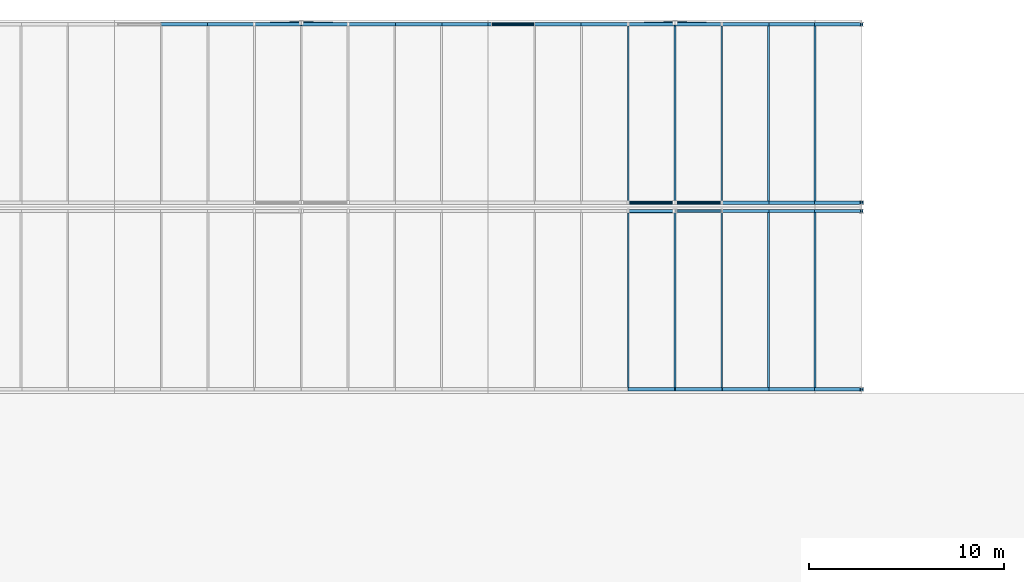
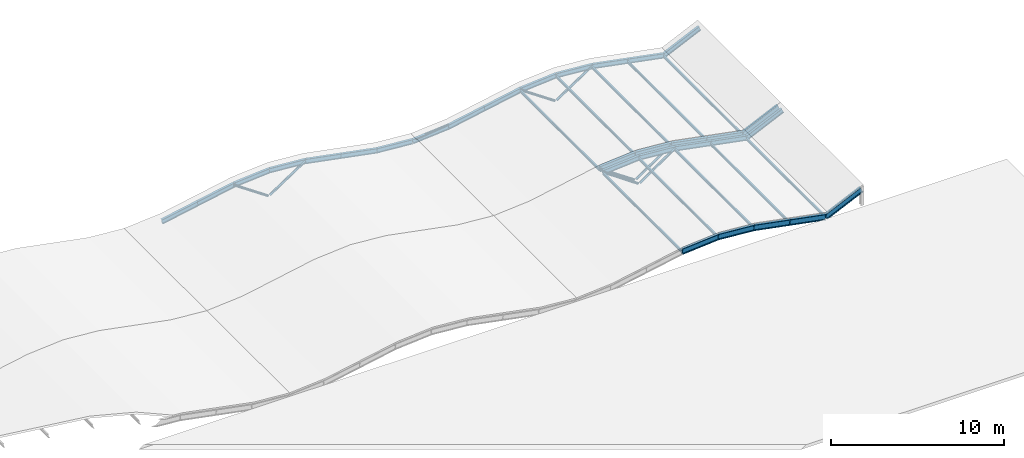
# One storey, part 130 of 170: 30 beams, 19 members.
"""IFC4 building model written with IfcOpenShell, lengths in metres."""

from ifc_helpers import new_model, si_unit, direction, frame, origin, origin_2d, place, context, subcontext, project, spatial, hollow_circle, i_section, extrude, material, material_profile, profile_set, type_object, element, save


model = new_model("IFC4")

# Units and contexts
model_context = context("Model", 3, precision=1e-05, world=origin(), true_north=direction((0.0, 1.0)))
body_context = subcontext(model_context, "Body", "Model", "MODEL_VIEW")
ifc_project = project(units=[si_unit("LENGTHUNIT", "METRE"), si_unit("AREAUNIT", "SQUARE_METRE"), si_unit("VOLUMEUNIT", "CUBIC_METRE"), si_unit("PLANEANGLEUNIT", "RADIAN"), si_unit("MASSUNIT", "GRAM", prefix="KILO")], contexts=[model_context])

# Site, building, storey
site_placement = place(None, origin())
site = spatial("IfcSite", under=ifc_project, at=site_placement, CompositionType="ELEMENT")
building_placement = place(site_placement, origin())
building = spatial("IfcBuilding", under=site, at=building_placement, Name="Coralgate Yard Interchange", CompositionType="ELEMENT")
storey_placement = place(building_placement, frame((0.0, 0.0, 6.0)))
storey = spatial("IfcBuildingStorey", under=building, at=storey_placement, Name="L01", CompositionType="ELEMENT", Elevation=6.0)

# Beams
ifc_material_1 = material(Name="Off-white architectural structural steel S355J2", Category="steel")
ifc_material_profile_1 = material_profile(ifc_material_1, i_section(OverallWidth=0.179931640625, OverallDepth=0.39990234375, WebThickness=0.008544921875, FlangeThickness=0.013427734375, FilletRadius=0.02099609375, at=origin_2d()), Name="IPE 400")
ifc_profile_set_1 = profile_set([ifc_material_profile_1], Name="Off-white architectural structural steel S355J2")
beam_type_1 = type_object("IfcBeamType", Name="BM-WR-1", PredefinedType="BEAM", material=ifc_profile_set_1)
beam_1_placement = place(storey_placement, frame((160.800048828125, 96.219970703125, 0.90966796875), z_axis=(0.996866661985, 0.0, 0.079100304817), x_axis=(0.0, 1.0, 0.0)))
element("IfcBeam", 1, at=beam_1_placement, inside=storey, type_object=beam_type_1, Name="Wave-shell steel arch rib R1-W7-S4", PredefinedType="BEAM", context=body_context, shape_type="SweptSolid", body=[
    extrude(i_section(OverallWidth=0.179931640625, OverallDepth=0.39990234375, WebThickness=0.008544921875, FlangeThickness=0.013427734375, FilletRadius=0.02099609375, at=origin_2d()), origin(), (0.0, 0.0, 1.0), 2.407470703125),
])
beam_2_placement = place(storey_placement, frame((163.199951171875, 96.219970703125, 1.10009765625), z_axis=(0.996867296401, 0.0, -0.079092309144), x_axis=(0.0, 1.0, 0.0)))
element("IfcBeam", 2, at=beam_2_placement, inside=storey, type_object=beam_type_1, Name="Wave-shell steel arch rib R1-W7-S5", PredefinedType="BEAM", context=body_context, shape_type="SweptSolid", body=[
    extrude(i_section(OverallWidth=0.179931640625, OverallDepth=0.39990234375, WebThickness=0.008544921875, FlangeThickness=0.013427734375, FilletRadius=0.02099609375, at=origin_2d()), origin(), (0.0, 0.0, 1.0), 2.40771484375),
])
for number, where, z_axis, x_axis, name in (
    (3, (165.60009765625, 96.219970703125, 0.90966796875), (0.98214301705, 0.0, -0.18813583938), (0.0, 1.0, 0.0), "Wave-shell steel arch rib R1-W7-S6"),
    (4, (168.0, 96.219970703125, 0.449951171875), (0.98216147419, 0.0, -0.188039460267), (0.0, 1.0, 0.0), "Wave-shell steel arch rib R1-W7-S7"),
):
    element("IfcBeam", number, at=place(storey_placement, frame(where, z_axis=z_axis, x_axis=x_axis)), inside=storey, type_object=beam_type_1, Name=name, PredefinedType="BEAM", context=body_context, shape_type="SweptSolid", body=[
        extrude(i_section(OverallWidth=0.179931640625, OverallDepth=0.39990234375, WebThickness=0.008544921875, FlangeThickness=0.013427734375, FilletRadius=0.02099609375, at=origin_2d()), origin(), (0.0, 0.0, 1.0), 2.443603515625),
    ])
beam_3_placement = place(storey_placement, frame((170.39990234375, 96.219970703125, -0.009521484375), z_axis=(0.907691669013, 0.0, 0.419637741396), x_axis=(0.0, 1.0, 0.0)))
element("IfcBeam", 5, at=beam_3_placement, inside=storey, type_object=beam_type_1, Name="Wave-shell steel arch rib R1-W7-S8", PredefinedType="BEAM", context=body_context, shape_type="SweptSolid", body=[
    extrude(i_section(OverallWidth=0.179931640625, OverallDepth=0.39990234375, WebThickness=0.008544921875, FlangeThickness=0.013427734375, FilletRadius=0.02099609375, at=origin_2d()), origin(), (0.0, 0.0, 1.0), 2.644287109375),
])
beam_4_placement = place(storey_placement, frame((160.800048828125, 105.820068359375, 0.90966796875), z_axis=(0.996866661985, 0.0, 0.079100304817), x_axis=(0.0, 1.0, 0.0)))
element("IfcBeam", 6, at=beam_4_placement, inside=storey, type_object=beam_type_1, Name="Wave-shell steel arch rib R2-W7-S4", PredefinedType="BEAM", context=body_context, shape_type="SweptSolid", body=[
    extrude(i_section(OverallWidth=0.179931640625, OverallDepth=0.39990234375, WebThickness=0.008544921875, FlangeThickness=0.013427734375, FilletRadius=0.02099609375, at=origin_2d()), origin(), (0.0, 0.0, 1.0), 2.407470703125),
])
beam_5_placement = place(storey_placement, frame((163.199951171875, 105.820068359375, 1.10009765625), z_axis=(0.996867296401, 0.0, -0.079092309144), x_axis=(0.0, 1.0, 0.0)))
element("IfcBeam", 7, at=beam_5_placement, inside=storey, type_object=beam_type_1, Name="Wave-shell steel arch rib R2-W7-S5", PredefinedType="BEAM", context=body_context, shape_type="SweptSolid", body=[
    extrude(i_section(OverallWidth=0.179931640625, OverallDepth=0.39990234375, WebThickness=0.008544921875, FlangeThickness=0.013427734375, FilletRadius=0.02099609375, at=origin_2d()), origin(), (0.0, 0.0, 1.0), 2.40771484375),
])
for number, where, z_axis, x_axis, name in (
    (8, (165.60009765625, 105.820068359375, 0.90966796875), (0.98214301705, 0.0, -0.18813583938), (0.0, 1.0, 0.0), "Wave-shell steel arch rib R2-W7-S6"),
    (9, (168.0, 105.820068359375, 0.449951171875), (0.98216147419, 0.0, -0.188039460267), (0.0, 1.0, 0.0), "Wave-shell steel arch rib R2-W7-S7"),
):
    element("IfcBeam", number, at=place(storey_placement, frame(where, z_axis=z_axis, x_axis=x_axis)), inside=storey, type_object=beam_type_1, Name=name, PredefinedType="BEAM", context=body_context, shape_type="SweptSolid", body=[
        extrude(i_section(OverallWidth=0.179931640625, OverallDepth=0.39990234375, WebThickness=0.008544921875, FlangeThickness=0.013427734375, FilletRadius=0.02099609375, at=origin_2d()), origin(), (0.0, 0.0, 1.0), 2.443603515625),
    ])
beam_6_placement = place(storey_placement, frame((170.39990234375, 105.820068359375, -0.009521484375), z_axis=(0.907691669013, 0.0, 0.419637741396), x_axis=(0.0, 1.0, 0.0)))
element("IfcBeam", 10, at=beam_6_placement, inside=storey, type_object=beam_type_1, Name="Wave-shell steel arch rib R2-W7-S8", PredefinedType="BEAM", context=body_context, shape_type="SweptSolid", body=[
    extrude(i_section(OverallWidth=0.179931640625, OverallDepth=0.39990234375, WebThickness=0.008544921875, FlangeThickness=0.013427734375, FilletRadius=0.02099609375, at=origin_2d()), origin(), (0.0, 0.0, 1.0), 2.644287109375),
])
ifc_material_profile_2 = material_profile(ifc_material_1, i_section(OverallWidth=0.159912109375, OverallDepth=0.330078125, WebThickness=0.007568359375, FlangeThickness=0.011474609375, FilletRadius=0.01806640625, at=origin_2d()), Name="IPE 330")
ifc_profile_set_2 = profile_set([ifc_material_profile_2], Name="Off-white architectural structural steel S355J2")
beam_type_2 = type_object("IfcBeamType", Name="BM-WR-2", PredefinedType="BEAM", material=ifc_profile_set_2)
beam_7_placement = place(storey_placement, frame((160.800048828125, 105.3798828125, 0.944580078125), z_axis=(0.996866661985, 0.0, 0.079100304817), x_axis=(0.0, 1.0, 0.0)))
element("IfcBeam", 11, at=beam_7_placement, inside=storey, type_object=beam_type_2, Name="Wave-shell steel arch rib R1-W7-N4", PredefinedType="BEAM", context=body_context, shape_type="SweptSolid", body=[
    extrude(i_section(OverallWidth=0.159912109375, OverallDepth=0.330078125, WebThickness=0.007568359375, FlangeThickness=0.011474609375, FilletRadius=0.01806640625, at=origin_2d()), origin(), (0.0, 0.0, 1.0), 2.407470703125),
])
beam_8_placement = place(storey_placement, frame((163.199951171875, 105.3798828125, 1.135009765625), z_axis=(0.996867296401, 0.0, -0.079092309144), x_axis=(0.0, 1.0, 0.0)))
element("IfcBeam", 12, at=beam_8_placement, inside=storey, type_object=beam_type_2, Name="Wave-shell steel arch rib R1-W7-N5", PredefinedType="BEAM", context=body_context, shape_type="SweptSolid", body=[
    extrude(i_section(OverallWidth=0.159912109375, OverallDepth=0.330078125, WebThickness=0.007568359375, FlangeThickness=0.011474609375, FilletRadius=0.01806640625, at=origin_2d()), origin(), (0.0, 0.0, 1.0), 2.40771484375),
])
for number, where, z_axis, x_axis, name in (
    (13, (165.60009765625, 105.3798828125, 0.944580078125), (0.98216147419, 0.0, -0.188039460267), (0.0, 1.0, 0.0), "Wave-shell steel arch rib R1-W7-N6"),
    (14, (168.0, 105.3798828125, 0.485107421875), (0.98214301705, 0.0, -0.18813583938), (0.0, 1.0, 0.0), "Wave-shell steel arch rib R1-W7-N7"),
):
    element("IfcBeam", number, at=place(storey_placement, frame(where, z_axis=z_axis, x_axis=x_axis)), inside=storey, type_object=beam_type_2, Name=name, PredefinedType="BEAM", context=body_context, shape_type="SweptSolid", body=[
        extrude(i_section(OverallWidth=0.159912109375, OverallDepth=0.330078125, WebThickness=0.007568359375, FlangeThickness=0.011474609375, FilletRadius=0.01806640625, at=origin_2d()), origin(), (0.0, 0.0, 1.0), 2.443603515625),
    ])
beam_9_placement = place(storey_placement, frame((170.39990234375, 105.3798828125, 0.025390625), z_axis=(0.907691669013, 0.0, 0.419637741396), x_axis=(0.0, 1.0, 0.0)))
element("IfcBeam", 15, at=beam_9_placement, inside=storey, type_object=beam_type_2, Name="Wave-shell steel arch rib R1-W7-N8", PredefinedType="BEAM", context=body_context, shape_type="SweptSolid", body=[
    extrude(i_section(OverallWidth=0.159912109375, OverallDepth=0.330078125, WebThickness=0.007568359375, FlangeThickness=0.011474609375, FilletRadius=0.01806640625, at=origin_2d()), origin(), (0.0, 0.0, 1.0), 2.644287109375),
])
beam_10_placement = place(storey_placement, frame((136.800048828125, 114.97998046875, 0.025390625), z_axis=(0.98214301705, 0.0, 0.18813583938), x_axis=(0.0, 1.0, 0.0)))
element("IfcBeam", 16, at=beam_10_placement, inside=storey, type_object=beam_type_2, Name="Wave-shell steel arch rib R2-W6-N2", PredefinedType="BEAM", context=body_context, shape_type="SweptSolid", body=[
    extrude(i_section(OverallWidth=0.159912109375, OverallDepth=0.330078125, WebThickness=0.007568359375, FlangeThickness=0.011474609375, FilletRadius=0.01806640625, at=origin_2d()), origin(), (0.0, 0.0, 1.0), 2.443603515625),
])
beam_11_placement = place(storey_placement, frame((139.199951171875, 114.97998046875, 0.485107421875), z_axis=(0.982165006537, 0.0, 0.188021009287), x_axis=(0.0, 1.0, 0.0)))
element("IfcBeam", 17, at=beam_11_placement, inside=storey, type_object=beam_type_2, Name="Wave-shell steel arch rib R2-W6-N3", PredefinedType="BEAM", context=body_context, shape_type="SweptSolid", body=[
    extrude(i_section(OverallWidth=0.159912109375, OverallDepth=0.330078125, WebThickness=0.007568359375, FlangeThickness=0.011474609375, FilletRadius=0.01806640625, at=origin_2d()), origin(), (0.0, 0.0, 1.0), 2.44384765625),
])
for number, where, z_axis, x_axis, name in (
    (18, (141.60009765625, 114.97998046875, 0.944580078125), (0.996866661985, 0.0, 0.079100304817), (0.0, 1.0, 0.0), "Wave-shell steel arch rib R2-W6-N4"),
    (19, (144.0, 114.97998046875, 1.135009765625), (0.996866661985, 0.0, -0.079100304817), (0.0, 1.0, 0.0), "Wave-shell steel arch rib R2-W6-N5"),
):
    element("IfcBeam", number, at=place(storey_placement, frame(where, z_axis=z_axis, x_axis=x_axis)), inside=storey, type_object=beam_type_2, Name=name, PredefinedType="BEAM", context=body_context, shape_type="SweptSolid", body=[
        extrude(i_section(OverallWidth=0.159912109375, OverallDepth=0.330078125, WebThickness=0.007568359375, FlangeThickness=0.011474609375, FilletRadius=0.01806640625, at=origin_2d()), origin(), (0.0, 0.0, 1.0), 2.407470703125),
    ])
beam_12_placement = place(storey_placement, frame((146.39990234375, 114.97998046875, 0.944580078125), z_axis=(0.982165006537, 0.0, -0.188021009287), x_axis=(0.0, 1.0, 0.0)))
element("IfcBeam", 20, at=beam_12_placement, inside=storey, type_object=beam_type_2, Name="Wave-shell steel arch rib R2-W6-N6", PredefinedType="BEAM", context=body_context, shape_type="SweptSolid", body=[
    extrude(i_section(OverallWidth=0.159912109375, OverallDepth=0.330078125, WebThickness=0.007568359375, FlangeThickness=0.011474609375, FilletRadius=0.01806640625, at=origin_2d()), origin(), (0.0, 0.0, 1.0), 2.44384765625),
])
beam_13_placement = place(storey_placement, frame((148.800048828125, 114.97998046875, 0.485107421875), z_axis=(0.98214301705, 0.0, -0.18813583938), x_axis=(0.0, 1.0, 0.0)))
element("IfcBeam", 21, at=beam_13_placement, inside=storey, type_object=beam_type_2, Name="Wave-shell steel arch rib R2-W6-N7", PredefinedType="BEAM", context=body_context, shape_type="SweptSolid", body=[
    extrude(i_section(OverallWidth=0.159912109375, OverallDepth=0.330078125, WebThickness=0.007568359375, FlangeThickness=0.011474609375, FilletRadius=0.01806640625, at=origin_2d()), origin(), (0.0, 0.0, 1.0), 2.443603515625),
])
beam_14_placement = place(storey_placement, frame((151.199951171875, 114.97998046875, 0.025390625), z_axis=(0.996867296401, 0.0, -0.079092309144), x_axis=(0.0, 1.0, 0.0)))
element("IfcBeam", 22, at=beam_14_placement, inside=storey, type_object=beam_type_2, Name="Wave-shell steel arch rib R2-W6-N8", PredefinedType="BEAM", context=body_context, shape_type="SweptSolid", body=[
    extrude(i_section(OverallWidth=0.159912109375, OverallDepth=0.330078125, WebThickness=0.007568359375, FlangeThickness=0.011474609375, FilletRadius=0.01806640625, at=origin_2d()), origin(), (0.0, 0.0, 1.0), 2.40771484375),
])
beam_15_placement = place(storey_placement, frame((153.60009765625, 114.97998046875, -0.1650390625), z_axis=(0.996866661985, 0.0, 0.079100304817), x_axis=(0.0, 1.0, 0.0)))
element("IfcBeam", 23, at=beam_15_placement, inside=storey, type_object=beam_type_2, Name="Wave-shell steel arch rib R2-W7-N1", PredefinedType="BEAM", context=body_context, shape_type="SweptSolid", body=[
    extrude(i_section(OverallWidth=0.159912109375, OverallDepth=0.330078125, WebThickness=0.007568359375, FlangeThickness=0.011474609375, FilletRadius=0.01806640625, at=origin_2d()), origin(), (0.0, 0.0, 1.0), 2.407470703125),
])
beam_16_placement = place(storey_placement, frame((156.0, 114.97998046875, 0.025390625), z_axis=(0.98214301705, 0.0, 0.18813583938), x_axis=(0.0, 1.0, 0.0)))
element("IfcBeam", 24, at=beam_16_placement, inside=storey, type_object=beam_type_2, Name="Wave-shell steel arch rib R2-W7-N2", PredefinedType="BEAM", context=body_context, shape_type="SweptSolid", body=[
    extrude(i_section(OverallWidth=0.159912109375, OverallDepth=0.330078125, WebThickness=0.007568359375, FlangeThickness=0.011474609375, FilletRadius=0.01806640625, at=origin_2d()), origin(), (0.0, 0.0, 1.0), 2.443603515625),
])
beam_17_placement = place(storey_placement, frame((158.39990234375, 114.97998046875, 0.485107421875), z_axis=(0.982165006537, 0.0, 0.188021009287), x_axis=(0.0, 1.0, 0.0)))
element("IfcBeam", 25, at=beam_17_placement, inside=storey, type_object=beam_type_2, Name="Wave-shell steel arch rib R2-W7-N3", PredefinedType="BEAM", context=body_context, shape_type="SweptSolid", body=[
    extrude(i_section(OverallWidth=0.159912109375, OverallDepth=0.330078125, WebThickness=0.007568359375, FlangeThickness=0.011474609375, FilletRadius=0.01806640625, at=origin_2d()), origin(), (0.0, 0.0, 1.0), 2.44384765625),
])
beam_18_placement = place(storey_placement, frame((160.800048828125, 114.97998046875, 0.944580078125), z_axis=(0.996866661985, 0.0, 0.079100304817), x_axis=(0.0, 1.0, 0.0)))
element("IfcBeam", 26, at=beam_18_placement, inside=storey, type_object=beam_type_2, Name="Wave-shell steel arch rib R2-W7-N4", PredefinedType="BEAM", context=body_context, shape_type="SweptSolid", body=[
    extrude(i_section(OverallWidth=0.159912109375, OverallDepth=0.330078125, WebThickness=0.007568359375, FlangeThickness=0.011474609375, FilletRadius=0.01806640625, at=origin_2d()), origin(), (0.0, 0.0, 1.0), 2.407470703125),
])
beam_19_placement = place(storey_placement, frame((163.199951171875, 114.97998046875, 1.135009765625), z_axis=(0.996867296401, 0.0, -0.079092309144), x_axis=(0.0, 1.0, 0.0)))
element("IfcBeam", 27, at=beam_19_placement, inside=storey, type_object=beam_type_2, Name="Wave-shell steel arch rib R2-W7-N5", PredefinedType="BEAM", context=body_context, shape_type="SweptSolid", body=[
    extrude(i_section(OverallWidth=0.159912109375, OverallDepth=0.330078125, WebThickness=0.007568359375, FlangeThickness=0.011474609375, FilletRadius=0.01806640625, at=origin_2d()), origin(), (0.0, 0.0, 1.0), 2.40771484375),
])
for number, where, z_axis, x_axis, name in (
    (28, (165.60009765625, 114.97998046875, 0.944580078125), (0.98216147419, 0.0, -0.188039460267), (0.0, 1.0, 0.0), "Wave-shell steel arch rib R2-W7-N6"),
    (29, (168.0, 114.97998046875, 0.485107421875), (0.98214301705, 0.0, -0.18813583938), (0.0, 1.0, 0.0), "Wave-shell steel arch rib R2-W7-N7"),
):
    element("IfcBeam", number, at=place(storey_placement, frame(where, z_axis=z_axis, x_axis=x_axis)), inside=storey, type_object=beam_type_2, Name=name, PredefinedType="BEAM", context=body_context, shape_type="SweptSolid", body=[
        extrude(i_section(OverallWidth=0.159912109375, OverallDepth=0.330078125, WebThickness=0.007568359375, FlangeThickness=0.011474609375, FilletRadius=0.01806640625, at=origin_2d()), origin(), (0.0, 0.0, 1.0), 2.443603515625),
    ])
beam_20_placement = place(storey_placement, frame((170.39990234375, 114.97998046875, 0.025390625), z_axis=(0.907691669013, 0.0, 0.419637741396), x_axis=(0.0, 1.0, 0.0)))
element("IfcBeam", 30, at=beam_20_placement, inside=storey, type_object=beam_type_2, Name="Wave-shell steel arch rib R2-W7-N8", PredefinedType="BEAM", context=body_context, shape_type="SweptSolid", body=[
    extrude(i_section(OverallWidth=0.159912109375, OverallDepth=0.330078125, WebThickness=0.007568359375, FlangeThickness=0.011474609375, FilletRadius=0.01806640625, at=origin_2d()), origin(), (0.0, 0.0, 1.0), 2.644287109375),
])

# Members
ifc_material_2 = material(Name="Yellow-ochre weather-coated structural steel S355J2", Category="steel")
ifc_material_profile_3 = material_profile(ifc_material_2, hollow_circle(Radius=0.084228515625, WallThickness=0.008056640625, at=origin_2d()), Name="CHS 168.3x8")
ifc_profile_set_3 = profile_set([ifc_material_profile_3], Name="Yellow-ochre weather-coated structural steel S355J2")
member_type_1 = type_object("IfcMemberType", Name="MB-HG-2", PredefinedType="STRUT", material=ifc_profile_set_3)
member_1_placement = place(storey_placement, frame((163.139892578125, 105.3798828125, -0.679931640625), z_axis=(-0.821432424161, 0.0, 0.570305858761), x_axis=(0.0, -1.0, 0.0)))
element("IfcMember", 31, at=member_1_placement, inside=storey, type_object=member_type_1, Name="Wave-shell inclined V-strut WVBR-R1-W7-N-L", PredefinedType="STRUT", context=body_context, shape_type="SweptSolid", body=[
    extrude(hollow_circle(Radius=0.084228515625, WallThickness=0.008056640625, at=origin_2d()), origin(), (0.0, 0.0, 1.0), 2.848388671875),
])
member_2_placement = place(storey_placement, frame((163.260009765625, 105.3798828125, -0.679931640625), z_axis=(0.821460297875, 0.0, 0.570265709135), x_axis=(0.0, 1.0, 0.0)))
element("IfcMember", 32, at=member_2_placement, inside=storey, type_object=member_type_1, Name="Wave-shell inclined V-strut WVBR-R1-W7-N-R", PredefinedType="STRUT", context=body_context, shape_type="SweptSolid", body=[
    extrude(hollow_circle(Radius=0.084228515625, WallThickness=0.008056640625, at=origin_2d()), origin(), (0.0, 0.0, 1.0), 2.8486328125),
])
for number, where, z_axis, x_axis, name in (
    (33, (143.93994140625, 115.0400390625, -0.679931640625), (-0.821249901259, -0.021079661489, 0.570179136371), (0.025659328394, -0.999670745229, 0.0), "Wave-shell inclined V-strut WVBR-R2-W6-N-L"),
    (34, (144.06005859375, 115.0400390625, -0.679931640625), (0.821249901259, -0.021079661489, 0.570179136371), (0.025659328394, 0.999670745229, 0.0), "Wave-shell inclined V-strut WVBR-R2-W6-N-R"),
):
    element("IfcMember", number, at=place(storey_placement, frame(where, z_axis=z_axis, x_axis=x_axis)), inside=storey, type_object=member_type_1, Name=name, PredefinedType="STRUT", context=body_context, shape_type="SweptSolid", body=[
        extrude(hollow_circle(Radius=0.084228515625, WallThickness=0.008056640625, at=origin_2d()), origin(), (0.0, 0.0, 1.0), 2.84912109375),
    ])
member_3_placement = place(storey_placement, frame((163.139892578125, 105.820068359375, -0.679931640625), z_axis=(-0.827172031576, 0.0, 0.561948778964), x_axis=(0.0, -1.0, 0.0)))
element("IfcMember", 35, at=member_3_placement, inside=storey, type_object=member_type_1, Name="Wave-shell inclined V-strut WVBR-R2-W7-S-L", PredefinedType="STRUT", context=body_context, shape_type="SweptSolid", body=[
    extrude(hollow_circle(Radius=0.084228515625, WallThickness=0.008056640625, at=origin_2d()), origin(), (0.0, 0.0, 1.0), 2.82861328125),
])
member_4_placement = place(storey_placement, frame((163.260009765625, 105.820068359375, -0.679931640625), z_axis=(0.827199283426, 0.0, 0.561908662951), x_axis=(0.0, 1.0, 0.0)))
element("IfcMember", 36, at=member_4_placement, inside=storey, type_object=member_type_1, Name="Wave-shell inclined V-strut WVBR-R2-W7-S-R", PredefinedType="STRUT", context=body_context, shape_type="SweptSolid", body=[
    extrude(hollow_circle(Radius=0.084228515625, WallThickness=0.008056640625, at=origin_2d()), origin(), (0.0, 0.0, 1.0), 2.828857421875),
])
member_5_placement = place(storey_placement, frame((163.139892578125, 115.0400390625, -0.679931640625), z_axis=(-0.821249901259, -0.021079661489, 0.570179136371), x_axis=(0.025659328394, -0.999670745229, 0.0)))
element("IfcMember", 37, at=member_5_placement, inside=storey, type_object=member_type_1, Name="Wave-shell inclined V-strut WVBR-R2-W7-N-L", PredefinedType="STRUT", context=body_context, shape_type="SweptSolid", body=[
    extrude(hollow_circle(Radius=0.084228515625, WallThickness=0.008056640625, at=origin_2d()), origin(), (0.0, 0.0, 1.0), 2.84912109375),
])
member_6_placement = place(storey_placement, frame((163.260009765625, 115.0400390625, -0.679931640625), z_axis=(0.821277794471, -0.021078178137, 0.570139013501), x_axis=(0.025656653127, 0.999670813893, 0.0)))
element("IfcMember", 38, at=member_6_placement, inside=storey, type_object=member_type_1, Name="Wave-shell inclined V-strut WVBR-R2-W7-N-R", PredefinedType="STRUT", context=body_context, shape_type="SweptSolid", body=[
    extrude(hollow_circle(Radius=0.084228515625, WallThickness=0.008056640625, at=origin_2d()), origin(), (0.0, 0.0, 1.0), 2.849365234375),
])
ifc_material_profile_4 = material_profile(ifc_material_1, i_section(OverallWidth=0.091064453125, OverallDepth=0.179931640625, WebThickness=0.00537109375, FlangeThickness=0.008056640625, FilletRadius=0.009033203125, at=origin_2d()), Name="IPE 180")
ifc_profile_set_4 = profile_set([ifc_material_profile_4], Name="Off-white architectural structural steel S355J2")
member_type_2 = type_object("IfcMemberType", Name="MB-PR-2", PredefinedType="PURLIN", material=ifc_profile_set_4)
for number, where, z_axis, x_axis, name in (
    (39, (160.800048828125, 96.199951171875, 0.86962890625), (0.0, 1.0, 0.0), (-1.0, 0.0, 0.0), "Wave-shell purlin R1-W7-4"),
    (40, (163.199951171875, 96.199951171875, 1.06005859375), (0.0, 1.0, 0.0), (-1.0, 0.0, 0.0), "Wave-shell purlin R1-W7-5"),
    (41, (165.60009765625, 96.199951171875, 0.86962890625), (0.0, 1.0, 0.0), (-1.0, 0.0, 0.0), "Wave-shell purlin R1-W7-6"),
    (42, (168.0, 96.199951171875, 0.409912109375), (0.0, 1.0, 0.0), (-1.0, 0.0, 0.0), "Wave-shell purlin R1-W7-7"),
    (43, (170.39990234375, 96.199951171875, -0.049560546875), (0.0, 1.0, 0.0), (-1.0, 0.0, 0.0), "Wave-shell purlin R1-W7-8"),
    (44, (160.800048828125, 105.800048828125, 0.86962890625), (0.0, 1.0, 0.0), (-1.0, 0.0, 0.0), "Wave-shell purlin R2-W7-4"),
    (45, (163.199951171875, 105.800048828125, 1.06005859375), (0.0, 1.0, 0.0), (-1.0, 0.0, 0.0), "Wave-shell purlin R2-W7-5"),
    (46, (165.60009765625, 105.800048828125, 0.86962890625), (0.0, 1.0, 0.0), (-1.0, 0.0, 0.0), "Wave-shell purlin R2-W7-6"),
    (47, (168.0, 105.800048828125, 0.409912109375), (0.0, 1.0, 0.0), (-1.0, 0.0, 0.0), "Wave-shell purlin R2-W7-7"),
    (48, (170.39990234375, 105.800048828125, -0.049560546875), (0.0, 1.0, 0.0), (-1.0, 0.0, 0.0), "Wave-shell purlin R2-W7-8"),
):
    element("IfcMember", number, at=place(storey_placement, frame(where, z_axis=z_axis, x_axis=x_axis)), inside=storey, type_object=member_type_2, Name=name, PredefinedType="PURLIN", context=body_context, shape_type="SweptSolid", body=[
        extrude(i_section(OverallWidth=0.091064453125, OverallDepth=0.179931640625, WebThickness=0.00537109375, FlangeThickness=0.008056640625, FilletRadius=0.009033203125, at=origin_2d()), origin(), (0.0, 0.0, 1.0), 9.199951171875),
    ])
ifc_material_profile_5 = material_profile(ifc_material_1, hollow_circle(Radius=0.06982421875, WallThickness=0.008056640625, at=origin_2d()), Name="CHS 139.7x8")
ifc_profile_set_5 = profile_set([ifc_material_profile_5], Name="Off-white architectural structural steel S355J2")
member_type_3 = type_object("IfcMemberType", Name="MB-PR-4", PredefinedType="PURLIN", material=ifc_profile_set_5)
member_7_placement = place(storey_placement, frame((153.780029296875, 114.97998046875, -0.080078125), z_axis=(0.993088023617, 0.0, 0.117371961508), x_axis=(0.0, 1.0, 0.0)))
element("IfcMember", 49, at=member_7_placement, inside=storey, type_object=member_type_3, Name="Wave-canopy longitudinal tie member 7", PredefinedType="PURLIN", context=body_context, shape_type="SweptSolid", body=[
    extrude(hollow_circle(Radius=0.06982421875, WallThickness=0.008056640625, at=origin_2d()), origin(), (0.0, 0.0, 1.0), 2.21533203125),
])

save(model, "model.ifc")
